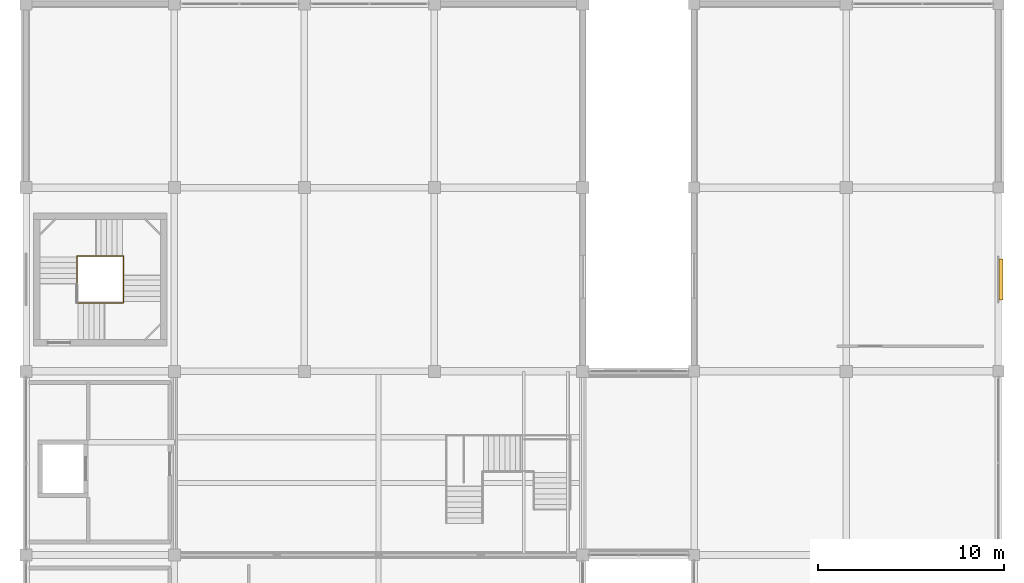
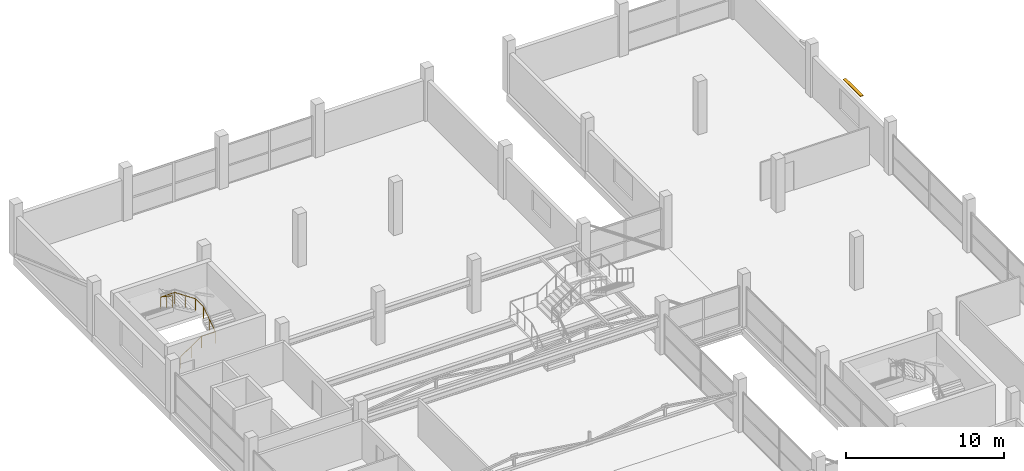
# One storey, part 70 of 70: 1 railing, 1 shading device.
"""IFC4 building model written with IfcOpenShell, lengths in metres."""

from ifc_helpers import new_model, si_unit, direction, frame, origin, origin_2d, place, context, subcontext, project, spatial, rectangle, circle, extrude, material, type_object, element, save


model = new_model("IFC4")

# Units and contexts
model_context = context("Model", 3, precision=1e-05, world=origin(), true_north=direction((0.0, 1.0)))
body_context = subcontext(model_context, "Body", "Model", "MODEL_VIEW")
ifc_project = project(units=[si_unit("LENGTHUNIT", "METRE"), si_unit("AREAUNIT", "SQUARE_METRE"), si_unit("VOLUMEUNIT", "CUBIC_METRE"), si_unit("PLANEANGLEUNIT", "RADIAN"), si_unit("MASSUNIT", "GRAM", prefix="KILO")], contexts=[model_context])

# Site, building, storey
site_placement = place(None, origin())
site = spatial("IfcSite", under=ifc_project, at=site_placement, CompositionType="ELEMENT")
building_placement = place(site_placement, origin())
building = spatial("IfcBuilding", under=site, at=building_placement, Name="Sillaruma Civic Art Gallery", CompositionType="ELEMENT")
storey_placement = place(building_placement, frame((0.0, 0.0, 66.300048828125)))
storey = spatial("IfcBuildingStorey", under=building, at=storey_placement, Name="L13", CompositionType="ELEMENT", Elevation=66.300048828125)

# Railing
ifc_material_1 = material(Name="Stainless Steel AISI 316", Category="steel")
railing_type = type_object("IfcRailingType", Name="RAL-HND-920", PredefinedType="HANDRAIL", material=ifc_material_1)
railing_placement = place(storey_placement, frame((64.739990234375, 82.889892578125, 0.0)))
element("IfcRailing", 1, at=railing_placement, inside=storey, type_object=railing_type, Name="Stair Continuous Handrail (ST-02-L13)", PredefinedType="HANDRAIL", context=body_context, shape_type="SweptSolid", body=[
    extrude(circle(Radius=0.02392578125, at=origin_2d()), frame((0.0, 0.0, 0.89599609375), z_axis=(0.828654473869, 0.0, 0.559760451387), x_axis=(0.0, 1.0, 0.0)), (0.0, 0.0, 1.0), 1.822265625),
    extrude(circle(Radius=0.02392578125, at=origin_2d()), frame((1.510009765625, 0.0, 1.916015625), z_axis=(1.0, 0.0, 0.0), x_axis=(0.0, 1.0, 0.0)), (0.0, 0.0, 1.0), 1.010009765625),
    extrude(circle(Radius=0.02392578125, at=origin_2d()), frame((2.52001953125, 0.0, 1.916015625), z_axis=(0.0, 0.828654473869, 0.559760451387), x_axis=(-1.0, 0.0, 0.0)), (0.0, 0.0, 1.0), 1.822265625),
    extrude(circle(Radius=0.02392578125, at=origin_2d()), frame((2.52001953125, 1.510009765625, 2.93603515625), z_axis=(0.0, 1.0, 0.0), x_axis=(-1.0, 0.0, 0.0)), (0.0, 0.0, 1.0), 1.010009765625),
    extrude(circle(Radius=0.02392578125, at=origin_2d()), frame((2.52001953125, 2.52001953125, 2.93603515625), z_axis=(-0.828654473869, 0.0, 0.559760451387), x_axis=(0.0, -1.0, 0.0)), (0.0, 0.0, 1.0), 1.822265625),
    extrude(circle(Radius=0.02392578125, at=origin_2d()), frame((1.010009765625, 2.52001953125, 3.9560546875), z_axis=(-1.0, 0.0, 0.0), x_axis=(0.0, -1.0, 0.0)), (0.0, 0.0, 1.0), 1.010009765625),
    extrude(circle(Radius=0.02392578125, at=origin_2d()), frame((0.0, 2.52001953125, 3.9560546875), z_axis=(0.0, -0.828716618891, 0.559668442539), x_axis=(1.0, 0.0, 0.0)), (0.0, 0.0, 1.0), 1.822021484375),
    extrude(circle(Radius=0.02099609375, at=origin_2d()), origin(), (0.0, 0.0, 1.0), 0.871826171875),
    extrude(circle(Radius=0.02099609375, at=origin_2d()), frame((0.7548828125, 0.0, 0.510009765625)), (0.0, 0.0, 1.0), 0.871826171875),
    extrude(circle(Radius=0.02099609375, at=origin_2d()), frame((1.510009765625, 0.0, 1.02001953125)), (0.0, 0.0, 1.0), 0.871826171875),
    extrude(circle(Radius=0.02099609375, at=origin_2d()), frame((2.52001953125, 0.0, 1.02001953125)), (0.0, 0.0, 1.0), 0.871826171875),
    extrude(circle(Radius=0.02099609375, at=origin_2d()), frame((2.52001953125, 0.7548828125, 1.530029296875)), (0.0, 0.0, 1.0), 0.871826171875),
    extrude(circle(Radius=0.02099609375, at=origin_2d()), frame((2.52001953125, 1.510009765625, 2.0400390625)), (0.0, 0.0, 1.0), 0.871826171875),
    extrude(circle(Radius=0.02099609375, at=origin_2d()), frame((2.52001953125, 2.52001953125, 2.0400390625)), (0.0, 0.0, 1.0), 0.871826171875),
    extrude(circle(Radius=0.02099609375, at=origin_2d()), frame((1.76513671875, 2.52001953125, 2.550048828125)), (0.0, 0.0, 1.0), 0.871826171875),
    extrude(circle(Radius=0.02099609375, at=origin_2d()), frame((1.010009765625, 2.52001953125, 3.06005859375)), (0.0, 0.0, 1.0), 0.871826171875),
    extrude(circle(Radius=0.02099609375, at=origin_2d()), frame((0.0, 2.52001953125, 3.06005859375)), (0.0, 0.0, 1.0), 0.871826171875),
    extrude(circle(Radius=0.02099609375, at=origin_2d()), frame((0.0, 1.76513671875, 3.56982421875)), (0.0, 0.0, 1.0), 0.871826171875),
    extrude(circle(Radius=0.02099609375, at=origin_2d()), frame((0.0, 1.010009765625, 4.079833984375)), (0.0, 0.0, 1.0), 0.871826171875),
])

# Shading device
ifc_material_2 = material(Name="Anodised Extruded Aluminium 6063-T6", Category="aluminium")
shading_device_type = type_object("IfcShadingDeviceType", Name="SHD-LOU-03", PredefinedType="USERDEFINED", material=ifc_material_2)
shading_device_placement = place(storey_placement, frame((114.5400390625, 84.14990234375, 3.4248046875), z_axis=(0.0, 0.0, 1.0), x_axis=(0.0, 1.0, 0.0)))
element("IfcShadingDevice", 2, at=shading_device_placement, inside=storey, type_object=shading_device_type, Name="Studio Solar Louvre Baffle (L13-7)", ObjectType="LOUVRE", PredefinedType="USERDEFINED", context=body_context, shape_type="SweptSolid", body=[
    extrude(rectangle(XDim=2.199951171875, YDim=0.219970703125, at=origin_2d()), origin(), (0.0, 0.0, 1.0), 0.050048828125),
])

save(model, "model.ifc")
